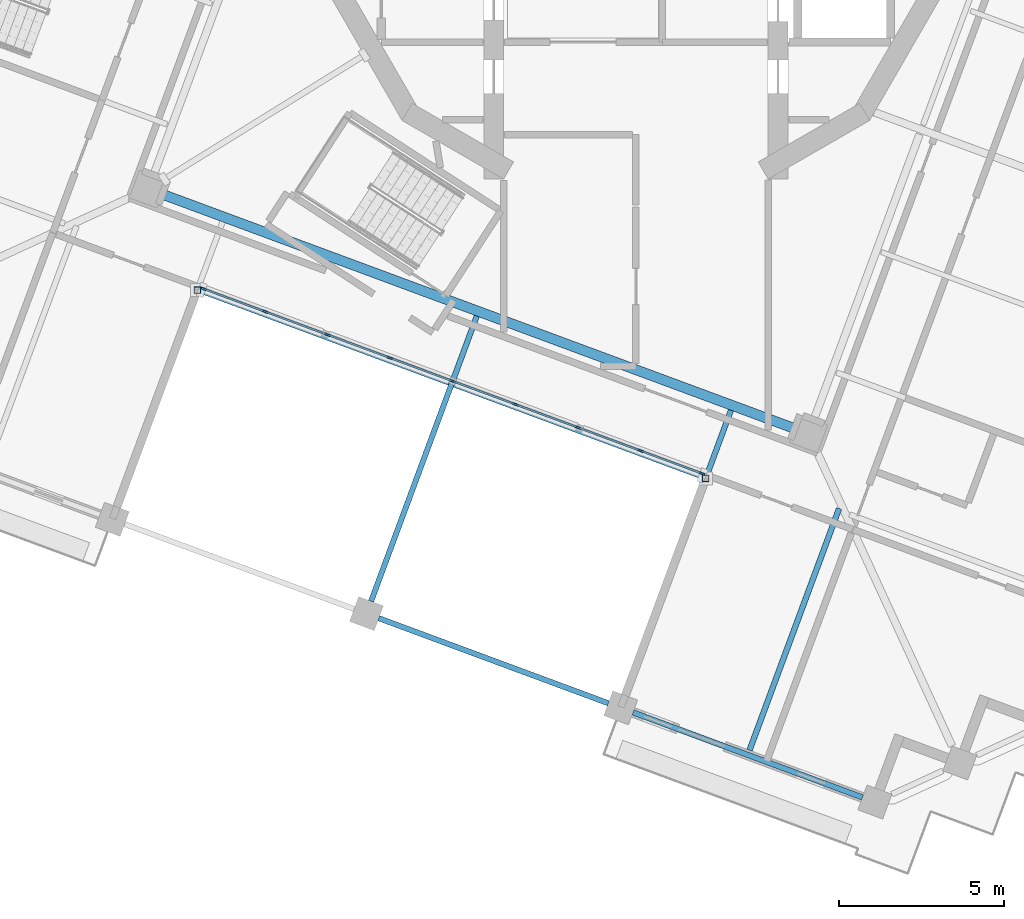
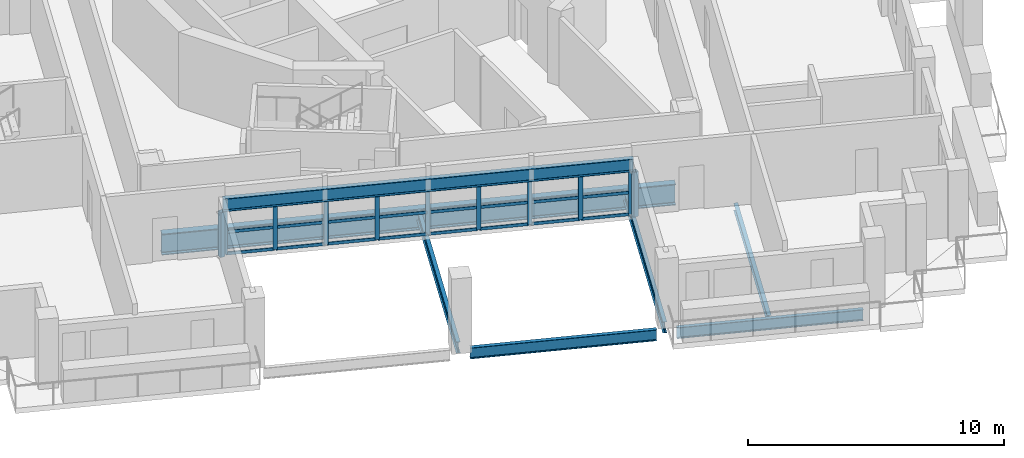
# One storey, part 2 of 19: 35 members, 7 beams, 1 element without a shape of its own.
"""IFC4 building model written with IfcOpenShell, lengths in metres."""

from ifc_helpers import new_model, si_unit, direction, frame, origin, origin_2d, place, context, subcontext, project, spatial, rectangle, hollow_rectangle, i_section, extrude, material, material_profile, profile_set, type_object, element, aggregate, save


model = new_model("IFC4")

# Units and contexts
model_context = context("Model", 3, precision=1e-05, world=origin(), true_north=direction((0.0, 1.0)))
body_context = subcontext(model_context, "Body", "Model", "MODEL_VIEW")
ifc_project = project(units=[si_unit("LENGTHUNIT", "METRE"), si_unit("AREAUNIT", "SQUARE_METRE"), si_unit("VOLUMEUNIT", "CUBIC_METRE"), si_unit("PLANEANGLEUNIT", "RADIAN"), si_unit("MASSUNIT", "GRAM", prefix="KILO")], contexts=[model_context])

# Site, building, storey
site_placement = place(None, origin())
site = spatial("IfcSite", under=ifc_project, at=site_placement, CompositionType="ELEMENT")
building_placement = place(site_placement, origin())
building = spatial("IfcBuilding", under=site, at=building_placement, Name="Cantera Rosa Tower", CompositionType="ELEMENT")
storey_placement = place(building_placement, frame((0.0, 0.0, 324.10009765625)))
storey = spatial("IfcBuildingStorey", under=building, at=storey_placement, Name="L72", CompositionType="ELEMENT", Elevation=324.10009765625)

# Curtain wall, members
ifc_material_1 = material(Name="Aluminium frame with clear glass", Category="aluminium")
curtain_wall_type = type_object("IfcCurtainWallType", Name="CW1 TERRACE POCKET GLAZING", PredefinedType="NOTDEFINED", material=ifc_material_1)
curtain_wall_placement = place(storey_placement, origin())
curtain_wall = element("IfcCurtainWall", 1, at=curtain_wall_placement, inside=storey, type_object=curtain_wall_type, Name="CW1 CW1", PredefinedType="NOTDEFINED")
ifc_material_2 = material(Name="Anodised bronze aluminium", Category="aluminium")
ifc_material_profile_1 = material_profile(ifc_material_2, rectangle(XDim=0.06005859375, YDim=0.179931640625, at=origin_2d()), Name="CW-MULLION 60x180 POCKET")
ifc_profile_set_1 = profile_set([ifc_material_profile_1], Name="Anodised bronze aluminium")
member_type_1 = type_object("IfcMemberType", Name="CW-MULLION 60x180 POCKET", PredefinedType="MULLION", material=ifc_profile_set_1)
member_1_placement = place(storey_placement, frame((-13.0859375, -12.16064453125, 0.0), z_axis=(0.0, 0.0, 1.0), x_axis=(0.347481234489, 0.937686936924, 0.0)))
member_1 = element("IfcMember", 2, at=member_1_placement, type_object=member_type_1, Name="CW1 mullion 1", PredefinedType="MULLION", context=body_context, shape_type="SweptSolid", body=[
    extrude(rectangle(XDim=0.06005859375, YDim=0.179931640625, at=origin_2d()), origin(), (0.0, 0.0, 1.0), 2.137939453125),
])
member_2_placement = place(storey_placement, frame((-11.22119140625, -12.8515625, 0.0), z_axis=(0.0, 0.0, 1.0), x_axis=(0.347481234489, 0.937686936924, 0.0)))
member_2 = element("IfcMember", 3, at=member_2_placement, type_object=member_type_1, Name="CW1 mullion 2", PredefinedType="MULLION", context=body_context, shape_type="SweptSolid", body=[
    extrude(rectangle(XDim=0.06005859375, YDim=0.179931640625, at=origin_2d()), origin(), (0.0, 0.0, 1.0), 2.137939453125),
])
member_3_placement = place(storey_placement, frame((-9.328125, -13.55322265625, 0.0), z_axis=(0.0, 0.0, 1.0), x_axis=(0.347481234489, 0.937686936924, 0.0)))
member_3 = element("IfcMember", 4, at=member_3_placement, type_object=member_type_1, Name="CW1 mullion 3", PredefinedType="MULLION", context=body_context, shape_type="SweptSolid", body=[
    extrude(rectangle(XDim=0.06005859375, YDim=0.179931640625, at=origin_2d()), origin(), (0.0, 0.0, 1.0), 2.137939453125),
])
member_4_placement = place(storey_placement, frame((-7.435302734375, -14.254638671875, 0.0), z_axis=(0.0, 0.0, 1.0), x_axis=(0.347481234489, 0.937686936924, 0.0)))
member_4 = element("IfcMember", 5, at=member_4_placement, type_object=member_type_1, Name="CW1 mullion 4", PredefinedType="MULLION", context=body_context, shape_type="SweptSolid", body=[
    extrude(rectangle(XDim=0.06005859375, YDim=0.179931640625, at=origin_2d()), origin(), (0.0, 0.0, 1.0), 2.137939453125),
])
member_5_placement = place(storey_placement, frame((-5.542236328125, -14.9560546875, 0.0), z_axis=(0.0, 0.0, 1.0), x_axis=(0.347481234489, 0.937686936924, 0.0)))
member_5 = element("IfcMember", 6, at=member_5_placement, type_object=member_type_1, Name="CW1 mullion 5", PredefinedType="MULLION", context=body_context, shape_type="SweptSolid", body=[
    extrude(rectangle(XDim=0.06005859375, YDim=0.179931640625, at=origin_2d()), origin(), (0.0, 0.0, 1.0), 2.137939453125),
])
member_6_placement = place(storey_placement, frame((-3.6494140625, -15.657470703125, 0.0), z_axis=(0.0, 0.0, 1.0), x_axis=(0.347481234489, 0.937686936924, 0.0)))
member_6 = element("IfcMember", 7, at=member_6_placement, type_object=member_type_1, Name="CW1 mullion 6", PredefinedType="MULLION", context=body_context, shape_type="SweptSolid", body=[
    extrude(rectangle(XDim=0.06005859375, YDim=0.179931640625, at=origin_2d()), origin(), (0.0, 0.0, 1.0), 2.137939453125),
])
member_7_placement = place(storey_placement, frame((-1.75634765625, -16.359130859375, 0.0), z_axis=(0.0, 0.0, 1.0), x_axis=(0.347481234489, 0.937686936924, 0.0)))
member_7 = element("IfcMember", 8, at=member_7_placement, type_object=member_type_1, Name="CW1 mullion 7", PredefinedType="MULLION", context=body_context, shape_type="SweptSolid", body=[
    extrude(rectangle(XDim=0.06005859375, YDim=0.179931640625, at=origin_2d()), origin(), (0.0, 0.0, 1.0), 2.137939453125),
])
member_8_placement = place(storey_placement, frame((0.136474609375, -17.060546875, 0.0), z_axis=(0.0, 0.0, 1.0), x_axis=(0.347481234489, 0.937686936924, 0.0)))
member_8 = element("IfcMember", 9, at=member_8_placement, type_object=member_type_1, Name="CW1 mullion 8", PredefinedType="MULLION", context=body_context, shape_type="SweptSolid", body=[
    extrude(rectangle(XDim=0.06005859375, YDim=0.179931640625, at=origin_2d()), origin(), (0.0, 0.0, 1.0), 2.137939453125),
])
member_9_placement = place(storey_placement, frame((2.00146484375, -17.751708984375, 0.0), z_axis=(0.0, 0.0, 1.0), x_axis=(0.347481234489, 0.937686936924, 0.0)))
member_9 = element("IfcMember", 10, at=member_9_placement, type_object=member_type_1, Name="CW1 mullion 9", PredefinedType="MULLION", context=body_context, shape_type="SweptSolid", body=[
    extrude(rectangle(XDim=0.06005859375, YDim=0.179931640625, at=origin_2d()), origin(), (0.0, 0.0, 1.0), 2.137939453125),
])
ifc_material_3 = material(Name="Anodised bronze aluminium", Category="aluminium")
ifc_material_profile_2 = material_profile(ifc_material_3, rectangle(XDim=0.06005859375, YDim=0.139892578125, at=origin_2d()), Name="CW-TRANSOM 60x140 POCKET")
ifc_profile_set_2 = profile_set([ifc_material_profile_2], Name="Anodised bronze aluminium")
member_type_2 = type_object("IfcMemberType", Name="CW-TRANSOM 60x140 POCKET", PredefinedType="USERDEFINED", material=ifc_profile_set_2)
member_10_placement = place(storey_placement, frame((-13.057861328125, -12.171142578125, 0.02978515625), z_axis=(0.937695308659, -0.347458642315, 0.0), x_axis=(0.347458642315, 0.937695308659, 0.0)))
member_10 = element("IfcMember", 11, at=member_10_placement, type_object=member_type_2, Name="CW1 transom 1.1", ObjectType="TRANSOM", PredefinedType="USERDEFINED", context=body_context, shape_type="SweptSolid", body=[
    extrude(rectangle(XDim=0.06005859375, YDim=0.139892578125, at=origin_2d()), origin(), (0.0, 0.0, 1.0), 1.9287109375),
])
member_11_placement = place(storey_placement, frame((-13.057861328125, -12.171142578125, 1.06884765625), z_axis=(0.937695308659, -0.347458642315, 0.0), x_axis=(0.347458642315, 0.937695308659, 0.0)))
member_11 = element("IfcMember", 12, at=member_11_placement, type_object=member_type_2, Name="CW1 transom 1.2", ObjectType="TRANSOM", PredefinedType="USERDEFINED", context=body_context, shape_type="SweptSolid", body=[
    extrude(rectangle(XDim=0.06005859375, YDim=0.139892578125, at=origin_2d()), origin(), (0.0, 0.0, 1.0), 1.9287109375),
])
member_12_placement = place(storey_placement, frame((-13.057861328125, -12.171142578125, 2.10791015625), z_axis=(0.937695308659, -0.347458642315, 0.0), x_axis=(0.347458642315, 0.937695308659, 0.0)))
member_12 = element("IfcMember", 13, at=member_12_placement, type_object=member_type_2, Name="CW1 transom 1.3", ObjectType="TRANSOM", PredefinedType="USERDEFINED", context=body_context, shape_type="SweptSolid", body=[
    extrude(rectangle(XDim=0.06005859375, YDim=0.139892578125, at=origin_2d()), origin(), (0.0, 0.0, 1.0), 1.9287109375),
])
member_13_placement = place(storey_placement, frame((-11.193115234375, -12.862060546875, 0.02978515625), z_axis=(0.937679580266, -0.347501085974, 0.0), x_axis=(0.347501085974, 0.937679580266, 0.0)))
member_13 = element("IfcMember", 14, at=member_13_placement, type_object=member_type_2, Name="CW1 transom 2.1", ObjectType="TRANSOM", PredefinedType="USERDEFINED", context=body_context, shape_type="SweptSolid", body=[
    extrude(rectangle(XDim=0.06005859375, YDim=0.139892578125, at=origin_2d()), origin(), (0.0, 0.0, 1.0), 1.958740234375),
])
member_14_placement = place(storey_placement, frame((-11.193115234375, -12.862060546875, 1.06884765625), z_axis=(0.937679580266, -0.347501085974, 0.0), x_axis=(0.347501085974, 0.937679580266, 0.0)))
member_14 = element("IfcMember", 15, at=member_14_placement, type_object=member_type_2, Name="CW1 transom 2.2", ObjectType="TRANSOM", PredefinedType="USERDEFINED", context=body_context, shape_type="SweptSolid", body=[
    extrude(rectangle(XDim=0.06005859375, YDim=0.139892578125, at=origin_2d()), origin(), (0.0, 0.0, 1.0), 1.958740234375),
])
member_15_placement = place(storey_placement, frame((-11.193115234375, -12.862060546875, 2.10791015625), z_axis=(0.937679580266, -0.347501085974, 0.0), x_axis=(0.347501085974, 0.937679580266, 0.0)))
member_15 = element("IfcMember", 16, at=member_15_placement, type_object=member_type_2, Name="CW1 transom 2.3", ObjectType="TRANSOM", PredefinedType="USERDEFINED", context=body_context, shape_type="SweptSolid", body=[
    extrude(rectangle(XDim=0.06005859375, YDim=0.139892578125, at=origin_2d()), origin(), (0.0, 0.0, 1.0), 1.958740234375),
])
member_16_placement = place(storey_placement, frame((-9.300048828125, -13.5634765625, 0.02978515625), z_axis=(0.937679580266, -0.347501085974, 0.0), x_axis=(0.347501085974, 0.937679580266, 0.0)))
member_16 = element("IfcMember", 17, at=member_16_placement, type_object=member_type_2, Name="CW1 transom 3.1", ObjectType="TRANSOM", PredefinedType="USERDEFINED", context=body_context, shape_type="SweptSolid", body=[
    extrude(rectangle(XDim=0.06005859375, YDim=0.139892578125, at=origin_2d()), origin(), (0.0, 0.0, 1.0), 1.958740234375),
])
member_17_placement = place(storey_placement, frame((-9.300048828125, -13.5634765625, 1.06884765625), z_axis=(0.937679580266, -0.347501085974, 0.0), x_axis=(0.347501085974, 0.937679580266, 0.0)))
member_17 = element("IfcMember", 18, at=member_17_placement, type_object=member_type_2, Name="CW1 transom 3.2", ObjectType="TRANSOM", PredefinedType="USERDEFINED", context=body_context, shape_type="SweptSolid", body=[
    extrude(rectangle(XDim=0.06005859375, YDim=0.139892578125, at=origin_2d()), origin(), (0.0, 0.0, 1.0), 1.958740234375),
])
member_18_placement = place(storey_placement, frame((-9.300048828125, -13.5634765625, 2.10791015625), z_axis=(0.937679580266, -0.347501085974, 0.0), x_axis=(0.347501085974, 0.937679580266, 0.0)))
member_18 = element("IfcMember", 19, at=member_18_placement, type_object=member_type_2, Name="CW1 transom 3.3", ObjectType="TRANSOM", PredefinedType="USERDEFINED", context=body_context, shape_type="SweptSolid", body=[
    extrude(rectangle(XDim=0.06005859375, YDim=0.139892578125, at=origin_2d()), origin(), (0.0, 0.0, 1.0), 1.958740234375),
])
member_19_placement = place(storey_placement, frame((-7.4072265625, -14.26513671875, 0.02978515625), z_axis=(0.937679580266, -0.347501085974, 0.0), x_axis=(0.347501085974, 0.937679580266, 0.0)))
member_19 = element("IfcMember", 20, at=member_19_placement, type_object=member_type_2, Name="CW1 transom 4.1", ObjectType="TRANSOM", PredefinedType="USERDEFINED", context=body_context, shape_type="SweptSolid", body=[
    extrude(rectangle(XDim=0.06005859375, YDim=0.139892578125, at=origin_2d()), origin(), (0.0, 0.0, 1.0), 1.958740234375),
])
member_20_placement = place(storey_placement, frame((-7.4072265625, -14.26513671875, 1.06884765625), z_axis=(0.937679580266, -0.347501085974, 0.0), x_axis=(0.347501085974, 0.937679580266, 0.0)))
member_20 = element("IfcMember", 21, at=member_20_placement, type_object=member_type_2, Name="CW1 transom 4.2", ObjectType="TRANSOM", PredefinedType="USERDEFINED", context=body_context, shape_type="SweptSolid", body=[
    extrude(rectangle(XDim=0.06005859375, YDim=0.139892578125, at=origin_2d()), origin(), (0.0, 0.0, 1.0), 1.958740234375),
])
member_21_placement = place(storey_placement, frame((-7.4072265625, -14.26513671875, 2.10791015625), z_axis=(0.937679580266, -0.347501085974, 0.0), x_axis=(0.347501085974, 0.937679580266, 0.0)))
member_21 = element("IfcMember", 22, at=member_21_placement, type_object=member_type_2, Name="CW1 transom 4.3", ObjectType="TRANSOM", PredefinedType="USERDEFINED", context=body_context, shape_type="SweptSolid", body=[
    extrude(rectangle(XDim=0.06005859375, YDim=0.139892578125, at=origin_2d()), origin(), (0.0, 0.0, 1.0), 1.958740234375),
])
member_22_placement = place(storey_placement, frame((-5.51416015625, -14.966552734375, 0.02978515625), z_axis=(0.937679580266, -0.347501085974, 0.0), x_axis=(0.347501085974, 0.937679580266, 0.0)))
member_22 = element("IfcMember", 23, at=member_22_placement, type_object=member_type_2, Name="CW1 transom 5.1", ObjectType="TRANSOM", PredefinedType="USERDEFINED", context=body_context, shape_type="SweptSolid", body=[
    extrude(rectangle(XDim=0.06005859375, YDim=0.139892578125, at=origin_2d()), origin(), (0.0, 0.0, 1.0), 1.958740234375),
])
member_23_placement = place(storey_placement, frame((-5.51416015625, -14.966552734375, 1.06884765625), z_axis=(0.937679580266, -0.347501085974, 0.0), x_axis=(0.347501085974, 0.937679580266, 0.0)))
member_23 = element("IfcMember", 24, at=member_23_placement, type_object=member_type_2, Name="CW1 transom 5.2", ObjectType="TRANSOM", PredefinedType="USERDEFINED", context=body_context, shape_type="SweptSolid", body=[
    extrude(rectangle(XDim=0.06005859375, YDim=0.139892578125, at=origin_2d()), origin(), (0.0, 0.0, 1.0), 1.958740234375),
])
member_24_placement = place(storey_placement, frame((-5.51416015625, -14.966552734375, 2.10791015625), z_axis=(0.937679580266, -0.347501085974, 0.0), x_axis=(0.347501085974, 0.937679580266, 0.0)))
member_24 = element("IfcMember", 25, at=member_24_placement, type_object=member_type_2, Name="CW1 transom 5.3", ObjectType="TRANSOM", PredefinedType="USERDEFINED", context=body_context, shape_type="SweptSolid", body=[
    extrude(rectangle(XDim=0.06005859375, YDim=0.139892578125, at=origin_2d()), origin(), (0.0, 0.0, 1.0), 1.958740234375),
])
member_25_placement = place(storey_placement, frame((-3.621337890625, -15.66796875, 0.02978515625), z_axis=(0.937694628987, -0.347460476557, 0.0), x_axis=(0.347460476557, 0.937694628987, 0.0)))
member_25 = element("IfcMember", 26, at=member_25_placement, type_object=member_type_2, Name="CW1 transom 6.1", ObjectType="TRANSOM", PredefinedType="USERDEFINED", context=body_context, shape_type="SweptSolid", body=[
    extrude(rectangle(XDim=0.06005859375, YDim=0.139892578125, at=origin_2d()), origin(), (0.0, 0.0, 1.0), 1.958984375),
])
member_26_placement = place(storey_placement, frame((-3.621337890625, -15.66796875, 1.06884765625), z_axis=(0.937694628987, -0.347460476557, 0.0), x_axis=(0.347460476557, 0.937694628987, 0.0)))
member_26 = element("IfcMember", 27, at=member_26_placement, type_object=member_type_2, Name="CW1 transom 6.2", ObjectType="TRANSOM", PredefinedType="USERDEFINED", context=body_context, shape_type="SweptSolid", body=[
    extrude(rectangle(XDim=0.06005859375, YDim=0.139892578125, at=origin_2d()), origin(), (0.0, 0.0, 1.0), 1.958984375),
])
member_27_placement = place(storey_placement, frame((-3.621337890625, -15.66796875, 2.10791015625), z_axis=(0.937694628987, -0.347460476557, 0.0), x_axis=(0.347460476557, 0.937694628987, 0.0)))
member_27 = element("IfcMember", 28, at=member_27_placement, type_object=member_type_2, Name="CW1 transom 6.3", ObjectType="TRANSOM", PredefinedType="USERDEFINED", context=body_context, shape_type="SweptSolid", body=[
    extrude(rectangle(XDim=0.06005859375, YDim=0.139892578125, at=origin_2d()), origin(), (0.0, 0.0, 1.0), 1.958984375),
])
member_28_placement = place(storey_placement, frame((-1.728271484375, -16.369384765625, 0.02978515625), z_axis=(0.937679580266, -0.347501085974, 0.0), x_axis=(0.347501085974, 0.937679580266, 0.0)))
member_28 = element("IfcMember", 29, at=member_28_placement, type_object=member_type_2, Name="CW1 transom 7.1", ObjectType="TRANSOM", PredefinedType="USERDEFINED", context=body_context, shape_type="SweptSolid", body=[
    extrude(rectangle(XDim=0.06005859375, YDim=0.139892578125, at=origin_2d()), origin(), (0.0, 0.0, 1.0), 1.958740234375),
])
member_29_placement = place(storey_placement, frame((-1.728271484375, -16.369384765625, 1.06884765625), z_axis=(0.937679580266, -0.347501085974, 0.0), x_axis=(0.347501085974, 0.937679580266, 0.0)))
member_29 = element("IfcMember", 30, at=member_29_placement, type_object=member_type_2, Name="CW1 transom 7.2", ObjectType="TRANSOM", PredefinedType="USERDEFINED", context=body_context, shape_type="SweptSolid", body=[
    extrude(rectangle(XDim=0.06005859375, YDim=0.139892578125, at=origin_2d()), origin(), (0.0, 0.0, 1.0), 1.958740234375),
])
member_30_placement = place(storey_placement, frame((-1.728271484375, -16.369384765625, 2.10791015625), z_axis=(0.937679580266, -0.347501085974, 0.0), x_axis=(0.347501085974, 0.937679580266, 0.0)))
member_30 = element("IfcMember", 31, at=member_30_placement, type_object=member_type_2, Name="CW1 transom 7.3", ObjectType="TRANSOM", PredefinedType="USERDEFINED", context=body_context, shape_type="SweptSolid", body=[
    extrude(rectangle(XDim=0.06005859375, YDim=0.139892578125, at=origin_2d()), origin(), (0.0, 0.0, 1.0), 1.958740234375),
])
member_31_placement = place(storey_placement, frame((0.16455078125, -17.071044921875, 0.02978515625), z_axis=(0.937695308659, -0.347458642315, 0.0), x_axis=(0.347458642315, 0.937695308659, 0.0)))
member_31 = element("IfcMember", 32, at=member_31_placement, type_object=member_type_2, Name="CW1 transom 8.1", ObjectType="TRANSOM", PredefinedType="USERDEFINED", context=body_context, shape_type="SweptSolid", body=[
    extrude(rectangle(XDim=0.06005859375, YDim=0.139892578125, at=origin_2d()), origin(), (0.0, 0.0, 1.0), 1.9287109375),
])
member_32_placement = place(storey_placement, frame((0.16455078125, -17.071044921875, 1.06884765625), z_axis=(0.937695308659, -0.347458642315, 0.0), x_axis=(0.347458642315, 0.937695308659, 0.0)))
member_32 = element("IfcMember", 33, at=member_32_placement, type_object=member_type_2, Name="CW1 transom 8.2", ObjectType="TRANSOM", PredefinedType="USERDEFINED", context=body_context, shape_type="SweptSolid", body=[
    extrude(rectangle(XDim=0.06005859375, YDim=0.139892578125, at=origin_2d()), origin(), (0.0, 0.0, 1.0), 1.9287109375),
])
member_33_placement = place(storey_placement, frame((0.16455078125, -17.071044921875, 2.10791015625), z_axis=(0.937695308659, -0.347458642315, 0.0), x_axis=(0.347458642315, 0.937695308659, 0.0)))
member_33 = element("IfcMember", 34, at=member_33_placement, type_object=member_type_2, Name="CW1 transom 8.3", ObjectType="TRANSOM", PredefinedType="USERDEFINED", context=body_context, shape_type="SweptSolid", body=[
    extrude(rectangle(XDim=0.06005859375, YDim=0.139892578125, at=origin_2d()), origin(), (0.0, 0.0, 1.0), 1.9287109375),
])
aggregate(curtain_wall, [member_1, member_2, member_3, member_4, member_5, member_6, member_7, member_8, member_9, member_10, member_11, member_12, member_13, member_14, member_15, member_16, member_17, member_18, member_19, member_20, member_21, member_22, member_23, member_24, member_25, member_26, member_27, member_28, member_29, member_30, member_31, member_32, member_33])

# Members
ifc_material_4 = material(Name="Steel ASTM A992 (Fy 345 MPa)", Category="steel")
ifc_material_profile_3 = material_profile(ifc_material_4, hollow_rectangle(XDim=0.199951171875, YDim=0.199951171875, WallThickness=0.010009765625, at=origin_2d()), Name="LINTEL POST RHS 200x200x10")
ifc_profile_set_3 = profile_set([ifc_material_profile_3], Name="Steel ASTM A992 (Fy 345 MPa)")
member_type_3 = type_object("IfcMemberType", Name="LINTEL POST RHS 200x200x10", PredefinedType="USERDEFINED", material=ifc_profile_set_3)
for number, where, z_axis, x_axis, name in (
    (35, (-13.26611328125, -12.200439453125, 0.0), (0.0, 0.0, 1.0), (1.0, 0.0, 0.0), "LINTEL POST L72-1"),
    (36, (2.112060546875, -17.899169921875, 0.0), (0.0, 0.0, 1.0), (1.0, 0.0, 0.0), "LINTEL POST L72-2"),
):
    element("IfcMember", number, at=place(storey_placement, frame(where, z_axis=z_axis, x_axis=x_axis)), inside=storey, type_object=member_type_3, Name=name, ObjectType="LINTEL POST", PredefinedType="USERDEFINED", context=body_context, shape_type="SweptSolid", body=[
        extrude(hollow_rectangle(XDim=0.199951171875, YDim=0.199951171875, WallThickness=0.010009765625, at=origin_2d()), origin(), (0.0, 0.0, 1.0), 2.139892578125),
    ])

# Beams
ifc_material_5 = material(Name="Steel ASTM A992 (Fy 345 MPa)", Category="steel")
ifc_material_profile_4 = material_profile(ifc_material_5, i_section(OverallWidth=0.302001953125, OverallDepth=1.010009765625, WebThickness=0.02099609375, FlangeThickness=0.0400390625, FilletRadius=0.030029296875, at=origin_2d()), Name="W1000X350")
ifc_profile_set_4 = profile_set([ifc_material_profile_4], Name="Steel ASTM A992 (Fy 345 MPa)")
beam_type_1 = type_object("IfcBeamType", Name="STEEL BEAM W1000X350", PredefinedType="BEAM", material=ifc_profile_set_4)
beam_1_placement = place(storey_placement, frame((4.803955078125, -16.390625, -0.755126953125), z_axis=(-0.937687392162, 0.347480006017, 0.0), x_axis=(-0.347480006017, -0.937687392162, 0.0)))
element("IfcBeam", 37, at=beam_1_placement, inside=storey, type_object=beam_type_1, Name="RB-Z6-08 L72", PredefinedType="BEAM", context=body_context, shape_type="SweptSolid", body=[
    extrude(i_section(OverallWidth=0.302001953125, OverallDepth=1.010009765625, WebThickness=0.02099609375, FlangeThickness=0.0400390625, FilletRadius=0.030029296875, at=origin_2d()), origin(), (0.0, 0.0, 1.0), 20.400146484375),
])
ifc_material_6 = material(Name="Steel ASTM A992 (Fy 345 MPa)", Category="steel")
ifc_material_profile_5 = material_profile(ifc_material_6, i_section(OverallWidth=0.166015625, OverallDepth=0.528076171875, WebThickness=0.009765625, FlangeThickness=0.013671875, FilletRadius=0.0126953125, at=origin_2d()), Name="W530X74")
ifc_profile_set_5 = profile_set([ifc_material_profile_5], Name="Steel ASTM A992 (Fy 345 MPa)")
beam_type_2 = type_object("IfcBeamType", Name="STEEL BEAM W530X74", PredefinedType="BEAM", material=ifc_profile_set_5)
for number, where, z_axis, x_axis, name in (
    (38, (-8.009521484375, -21.61376953125, -0.51416015625), (0.34750017104, 0.937679919337, 0.0), (-0.937679919337, 0.34750017104, 0.0), "G-Z6-13 L72"),
    (39, (-0.3203125, -24.463134765625, -0.51416015625), (0.347476838353, 0.937688566, 0.0), (-0.937688566, 0.347476838353, 0.0), "G-Z6-14 L72"),
):
    element("IfcBeam", number, at=place(storey_placement, frame(where, z_axis=z_axis, x_axis=x_axis)), inside=storey, type_object=beam_type_2, Name=name, PredefinedType="BEAM", context=body_context, shape_type="SweptSolid", body=[
        extrude(i_section(OverallWidth=0.166015625, OverallDepth=0.528076171875, WebThickness=0.009765625, FlangeThickness=0.013671875, FilletRadius=0.0126953125, at=origin_2d()), origin(), (0.0, 0.0, 1.0), 9.199951171875),
    ])
ifc_material_7 = material(Name="Steel ASTM A992 (Fy 345 MPa)", Category="steel")
ifc_material_profile_6 = material_profile(ifc_material_7, i_section(OverallWidth=0.22802734375, OverallDepth=0.60205078125, WebThickness=0.010498046875, FlangeThickness=0.014892578125, FilletRadius=0.0126953125, at=origin_2d()), Name="W610X101")
ifc_profile_set_6 = profile_set([ifc_material_profile_6], Name="Steel ASTM A992 (Fy 345 MPa)")
beam_type_3 = type_object("IfcBeamType", Name="STEEL BEAM W610X101", PredefinedType="BEAM", material=ifc_profile_set_6)
beam_2_placement = place(storey_placement, frame((-13.201904296875, -12.1708984375, 2.44091796875), z_axis=(0.937685509573, -0.347485086209, 0.0), x_axis=(0.347485086209, 0.937685509573, 0.0)))
element("IfcBeam", 40, at=beam_2_placement, inside=storey, type_object=beam_type_3, Name="LINTEL SL-L72", PredefinedType="BEAM", context=body_context, shape_type="SweptSolid", body=[
    extrude(i_section(OverallWidth=0.22802734375, OverallDepth=0.60205078125, WebThickness=0.010498046875, FlangeThickness=0.014892578125, FilletRadius=0.0126953125, at=origin_2d()), origin(), (0.0, 0.0, 1.0), 16.300048828125),
])
ifc_material_8 = material(Name="Steel ASTM A992 (Fy 345 MPa)", Category="steel")
ifc_material_profile_7 = material_profile(ifc_material_8, i_section(OverallWidth=0.1708984375, OverallDepth=0.35595703125, WebThickness=0.00732421875, FlangeThickness=0.01171875, FilletRadius=0.010009765625, at=origin_2d()), Name="W360X51")
ifc_profile_set_7 = profile_set([ifc_material_profile_7], Name="Steel ASTM A992 (Fy 345 MPa)")
beam_type_4 = type_object("IfcBeamType", Name="STEEL JOIST W360X51", PredefinedType="JOIST", material=ifc_profile_set_7)
beam_3_placement = place(storey_placement, frame((3.437255859375, -26.1220703125, -0.427978515625), z_axis=(0.347491728417, 0.937683048093, 0.0), x_axis=(-0.937683048093, 0.347491728417, 0.0)))
element("IfcBeam", 41, at=beam_3_placement, inside=storey, type_object=beam_type_4, Name="B-Z6-18 L72", PredefinedType="JOIST", context=body_context, shape_type="SweptSolid", body=[
    extrude(i_section(OverallWidth=0.1708984375, OverallDepth=0.35595703125, WebThickness=0.00732421875, FlangeThickness=0.01171875, FilletRadius=0.010009765625, at=origin_2d()), origin(), (0.0, 0.0, 1.0), 7.800048828125),
])
ifc_material_9 = material(Name="Steel ASTM A992 (Fy 345 MPa)", Category="steel")
ifc_material_profile_8 = material_profile(ifc_material_9, i_section(OverallWidth=0.166015625, OverallDepth=0.528076171875, WebThickness=0.009765625, FlangeThickness=0.013671875, FilletRadius=0.0126953125, at=origin_2d()), Name="W530X74")
ifc_profile_set_8 = profile_set([ifc_material_profile_8], Name="Steel ASTM A992 (Fy 345 MPa)")
beam_type_5 = type_object("IfcBeamType", Name="STEEL SPANDREL BEAM W530X74", PredefinedType="SPANDREL", material=ifc_profile_set_8)
beam_4_placement = place(storey_placement, frame((-7.7734375, -22.127685546875, -0.51416015625), z_axis=(0.937680690562, -0.34749808999, 0.0), x_axis=(0.34749808999, 0.937680690562, 0.0)))
element("IfcBeam", 42, at=beam_4_placement, inside=storey, type_object=beam_type_5, Name="EB-Z6-16 L72", PredefinedType="SPANDREL", context=body_context, shape_type="SweptSolid", body=[
    extrude(i_section(OverallWidth=0.166015625, OverallDepth=0.528076171875, WebThickness=0.009765625, FlangeThickness=0.013671875, FilletRadius=0.0126953125, at=origin_2d()), origin(), (0.0, 0.0, 1.0), 7.400146484375),
])
beam_5_placement = place(storey_placement, frame((-0.084228515625, -24.97705078125, -0.51416015625), z_axis=(0.937687456783, -0.347479831633, 0.0), x_axis=(0.347479831633, 0.937687456783, 0.0)))
element("IfcBeam", 43, at=beam_5_placement, inside=storey, type_object=beam_type_5, Name="EB-Z6-17 L72", PredefinedType="SPANDREL", context=body_context, shape_type="SweptSolid", body=[
    extrude(i_section(OverallWidth=0.166015625, OverallDepth=0.528076171875, WebThickness=0.009765625, FlangeThickness=0.013671875, FilletRadius=0.0126953125, at=origin_2d()), origin(), (0.0, 0.0, 1.0), 7.39990234375),
])

save(model, "model.ifc")
